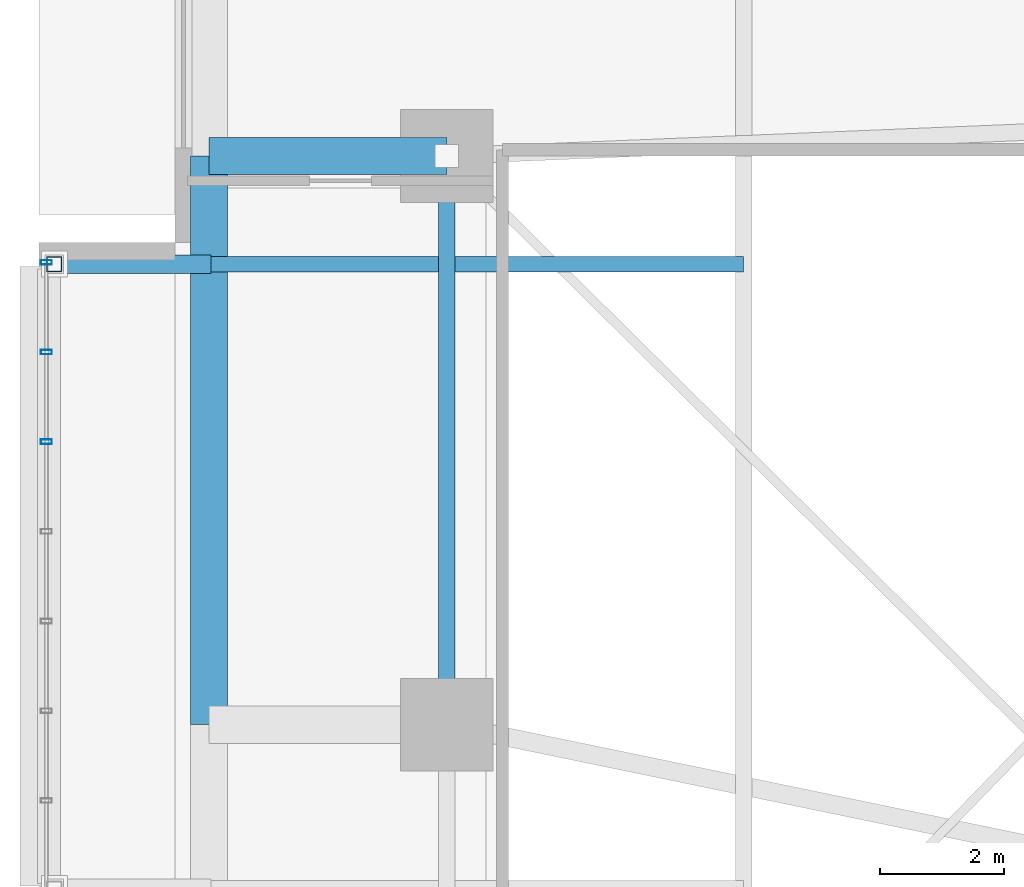
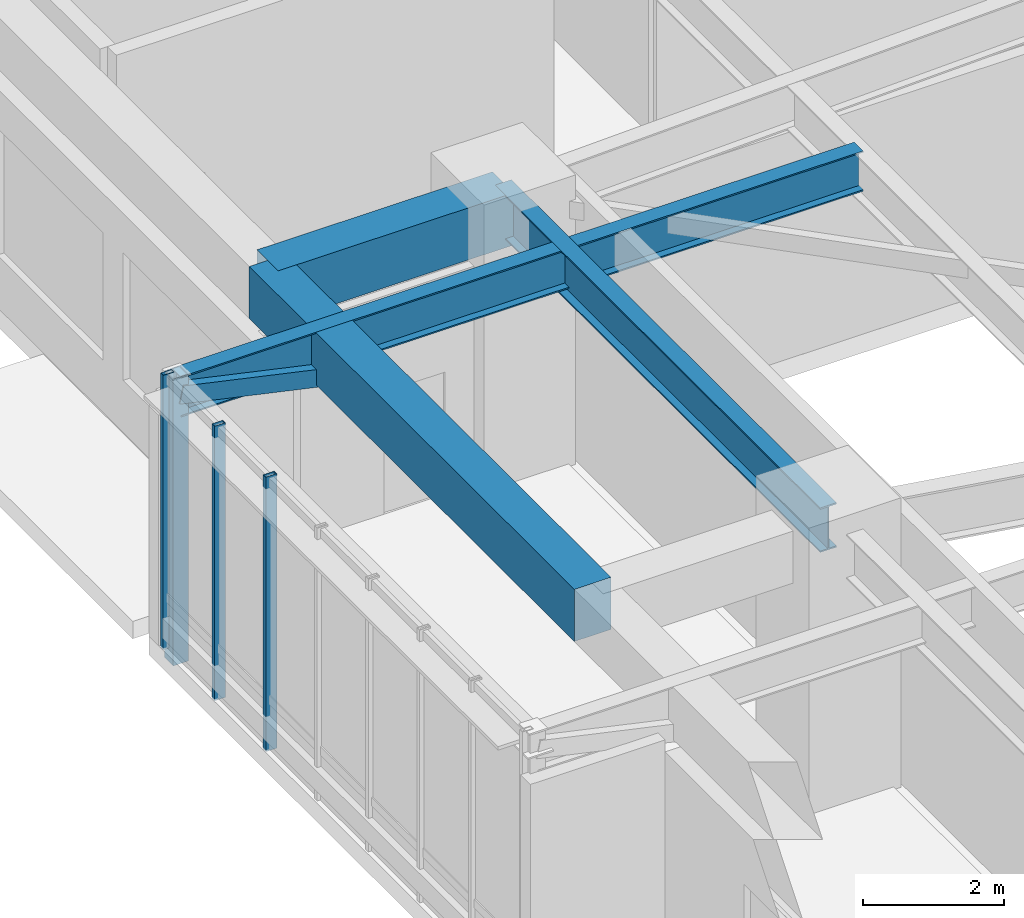
# One storey, part 7 of 26: 5 members, 4 beams, 1 element without a shape of its own.
"""IFC4 building model written with IfcOpenShell, lengths in metres."""

from ifc_helpers import new_model, si_unit, direction, frame, origin, origin_2d, place, context, subcontext, project, spatial, rectangle, hollow_rectangle, i_section, extrude, material, material_profile, profile_set, type_object, element, aggregate, save


model = new_model("IFC4")

# Units and contexts
model_context = context("Model", 3, precision=1e-05, world=origin(), true_north=direction((0.0, 1.0)))
body_context = subcontext(model_context, "Body", "Model", "MODEL_VIEW")
ifc_project = project(units=[si_unit("LENGTHUNIT", "METRE"), si_unit("AREAUNIT", "SQUARE_METRE"), si_unit("VOLUMEUNIT", "CUBIC_METRE"), si_unit("PLANEANGLEUNIT", "RADIAN"), si_unit("MASSUNIT", "GRAM", prefix="KILO")], contexts=[model_context])

# Site, building, storey
site_placement = place(None, origin())
site = spatial("IfcSite", under=ifc_project, at=site_placement, CompositionType="ELEMENT")
building_placement = place(site_placement, origin())
building = spatial("IfcBuilding", under=site, at=building_placement, Name="Zulverin Broadcast Headquarters", CompositionType="ELEMENT")
storey_placement = place(building_placement, frame((0.0, 0.0, 15.0)))
storey = spatial("IfcBuildingStorey", under=building, at=storey_placement, Name="L03", CompositionType="ELEMENT", Elevation=15.0)

# Beams
ifc_material_1 = material(Name="Concrete C40/50", Category="concrete")
ifc_material_profile_1 = material_profile(ifc_material_1, rectangle(XDim=0.60009765625, YDim=0.89990234375, at=origin_2d()), Name="Concrete C40/50", Category="concrete")
ifc_profile_set_1 = profile_set([ifc_material_profile_1], Name="Concrete C40/50")
beam_type_1 = type_object("IfcBeamType", Name="BM-RC-600x900", PredefinedType="BEAM", material=ifc_profile_set_1)
beam_1_placement = place(storey_placement, frame((4.39990234375, 34.39990234375, 4.22998046875), z_axis=(-1.0, 0.0, 0.0), x_axis=(0.0, -1.0, 0.0)))
element("IfcBeam", 1, at=beam_1_placement, inside=storey, type_object=beam_type_1, Name="L03 West Perimeter Bracket Girder WBR-3", PredefinedType="BEAM", context=body_context, shape_type="SweptSolid", body=[
    extrude(rectangle(XDim=0.60009765625, YDim=0.89990234375, at=origin_2d()), origin(), (0.0, 0.0, 1.0), 3.849853515625),
])
beam_2_placement = place(storey_placement, frame((0.550048828125, 25.199951171875, 4.22998046875), z_axis=(0.0, 1.0, 0.0), x_axis=(-1.0, 0.0, 0.0)))
element("IfcBeam", 2, at=beam_2_placement, inside=storey, type_object=beam_type_1, Name="L03 West Edge Spandrel Girder WEG-2", PredefinedType="BEAM", context=body_context, shape_type="SweptSolid", body=[
    extrude(rectangle(XDim=0.60009765625, YDim=0.89990234375, at=origin_2d()), origin(), (0.0, 0.0, 1.0), 9.199951171875),
])
ifc_material_2 = material(Name="Structural steel S355JR", Category="steel")
ifc_material_profile_2 = material_profile(ifc_material_2, i_section(OverallWidth=0.255859375, OverallDepth=0.69287109375, WebThickness=0.014404296875, FlangeThickness=0.023681640625, at=origin_2d()), Name="Structural steel S355JR", Category="steel")
ifc_profile_set_2 = profile_set([ifc_material_profile_2], Name="Structural steel S355JR")
beam_type_2 = type_object("IfcBeamType", Name="BM-UB-686", PredefinedType="BEAM", material=ifc_profile_set_2)
beam_3_placement = place(storey_placement, frame((9.199951171875, 32.64990234375, 4.33349609375), z_axis=(-1.0, 0.0, 0.0), x_axis=(0.0, -1.0, 0.0)))
element("IfcBeam", 3, at=beam_3_placement, inside=storey, type_object=beam_type_2, Name="L03 Studio Box Cantilever Girder SBOX_POD_UPPER_W1-2", PredefinedType="BEAM", context=body_context, shape_type="SweptSolid", body=[
    extrude(i_section(OverallWidth=0.255859375, OverallDepth=0.69287109375, WebThickness=0.014404296875, FlangeThickness=0.023681640625, at=origin_2d()), origin(), (0.0, 0.0, 1.0), 11.14990234375),
])
ifc_material_profile_3 = material_profile(ifc_material_2, i_section(OverallWidth=0.26806640625, OverallDepth=0.769775390625, WebThickness=0.015625, FlangeThickness=0.025390625, at=origin_2d()), Name="Structural steel S355JR", Category="steel")
ifc_profile_set_3 = profile_set([ifc_material_profile_3], Name="Structural steel S355JR")
beam_type_3 = type_object("IfcBeamType", Name="BM-UB-762", PredefinedType="BEAM", material=ifc_profile_set_3)
beam_4_placement = place(storey_placement, frame((4.39990234375, 34.39990234375, 4.295166015625), z_axis=(0.0, -1.0, 0.0), x_axis=(1.0, 0.0, 0.0)))
element("IfcBeam", 4, at=beam_4_placement, inside=storey, type_object=beam_type_3, Name="L03 Podium Primary Girder P13-P12", PredefinedType="BEAM", context=body_context, shape_type="SweptSolid", body=[
    extrude(i_section(OverallWidth=0.26806640625, OverallDepth=0.769775390625, WebThickness=0.015625, FlangeThickness=0.025390625, at=origin_2d()), origin(), (0.0, 0.0, 1.0), 9.199951171875),
])

# Curtain wall, members
ifc_material_3 = material(Name="Acoustic triple-glazed studio box curtain wall", Category="aluminium")
curtain_wall_type = type_object("IfcCurtainWallType", Name="CW-SBOX", PredefinedType="USERDEFINED", material=ifc_material_3)
curtain_wall_placement = place(storey_placement, origin())
curtain_wall = element("IfcCurtainWall", 5, at=curtain_wall_placement, inside=storey, type_object=curtain_wall_type, Name="L03 Unitised Curtain Wall CW-L03-SBOX_POD_UPPER_W1-F", ObjectType="UNITISED CURTAIN WALL", PredefinedType="USERDEFINED")
ifc_material_4 = material(Name="Anodized pale-metal aluminium alloy 6063-T6", Category="aluminium")
ifc_material_profile_4 = material_profile(ifc_material_4, hollow_rectangle(XDim=0.074951171875, YDim=0.179931640625, WallThickness=0.0048828125, at=origin_2d()), Name="Anodized pale-metal aluminium alloy 6063-T6", Category="aluminium")
ifc_profile_set_4 = profile_set([ifc_material_profile_4], Name="Anodized pale-metal aluminium alloy 6063-T6")
member_type_1 = type_object("IfcMemberType", Name="CW-MUL-180", PredefinedType="MULLION", material=ifc_profile_set_4)
member_1_placement = place(storey_placement, frame((-2.080078125, 32.679931640625, -0.030029296875), z_axis=(0.0, 0.0, 1.0), x_axis=(0.0, -1.0, 0.0)))
member_1 = element("IfcMember", 6, at=member_1_placement, type_object=member_type_1, Name="CW-L03-SBOX_POD_UPPER_W1-F Mullion 00", PredefinedType="MULLION", context=body_context, shape_type="SweptSolid", body=[
    extrude(hollow_rectangle(XDim=0.074951171875, YDim=0.179931640625, WallThickness=0.0048828125, at=origin_2d()), origin(), (0.0, 0.0, 1.0), 4.739990234375),
])
member_2_placement = place(storey_placement, frame((-2.080078125, 31.228515625, -0.030029296875), z_axis=(0.0, 0.0, 1.0), x_axis=(0.0, -1.0, 0.0)))
member_2 = element("IfcMember", 7, at=member_2_placement, type_object=member_type_1, Name="CW-L03-SBOX_POD_UPPER_W1-F Mullion 01", PredefinedType="MULLION", context=body_context, shape_type="SweptSolid", body=[
    extrude(hollow_rectangle(XDim=0.074951171875, YDim=0.179931640625, WallThickness=0.0048828125, at=origin_2d()), origin(), (0.0, 0.0, 1.0), 4.739990234375),
])
member_3_placement = place(storey_placement, frame((-2.080078125, 29.777099609375, -0.030029296875), z_axis=(0.0, 0.0, 1.0), x_axis=(0.0, -1.0, 0.0)))
member_3 = element("IfcMember", 8, at=member_3_placement, type_object=member_type_1, Name="CW-L03-SBOX_POD_UPPER_W1-F Mullion 02", PredefinedType="MULLION", context=body_context, shape_type="SweptSolid", body=[
    extrude(hollow_rectangle(XDim=0.074951171875, YDim=0.179931640625, WallThickness=0.0048828125, at=origin_2d()), origin(), (0.0, 0.0, 1.0), 4.739990234375),
])
aggregate(curtain_wall, [member_1, member_2, member_3])

# Members
ifc_material_profile_5 = material_profile(ifc_material_2, hollow_rectangle(XDim=0.300048828125, YDim=0.300048828125, WallThickness=0.01611328125, at=origin_2d()), Name="Structural steel S355JR", Category="steel")
ifc_profile_set_5 = profile_set([ifc_material_profile_5], Name="Structural steel S355JR")
member_type_2 = type_object("IfcMemberType", Name="MBR-BLT-DIAG1", PredefinedType="BRACE", material=ifc_profile_set_5)
member_4_placement = place(storey_placement, frame((0.550048828125, 32.64990234375, 3.830078125), z_axis=(-0.976660475394, 0.0, 0.214789002987), x_axis=(0.0, -1.0, 0.0)))
element("IfcMember", 9, at=member_4_placement, inside=storey, type_object=member_type_2, Name="L03 Studio Box Raking Knee Brace SBOX_POD_UPPER_W1-2", PredefinedType="BRACE", context=body_context, shape_type="SweptSolid", body=[
    extrude(hollow_rectangle(XDim=0.300048828125, YDim=0.300048828125, WallThickness=0.01611328125, at=origin_2d()), origin(), (0.0, 0.0, 1.0), 2.559814453125),
])
ifc_material_profile_6 = material_profile(ifc_material_2, hollow_rectangle(XDim=0.25, YDim=0.25, WallThickness=0.01611328125, at=origin_2d()), Name="Structural steel S355JR", Category="steel")
ifc_profile_set_6 = profile_set([ifc_material_profile_6], Name="Structural steel S355JR")
member_type_3 = type_object("IfcMemberType", Name="MBR-BLT-POST", PredefinedType="POST", material=ifc_profile_set_6)
member_5_placement = place(storey_placement, frame((-1.949951171875, 32.64990234375, -0.27001953125), z_axis=(0.0, 0.0, 1.0), x_axis=(1.0, 0.0, 0.0)))
element("IfcMember", 10, at=member_5_placement, inside=storey, type_object=member_type_3, Name="L03 Shifted Studio Box Frame Post SBOX_POD_UPPER_W1-2", PredefinedType="POST", context=body_context, shape_type="SweptSolid", body=[
    extrude(hollow_rectangle(XDim=0.25, YDim=0.25, WallThickness=0.01611328125, at=origin_2d()), origin(), (0.0, 0.0, 1.0), 4.949951171875),
])

save(model, "model.ifc")
